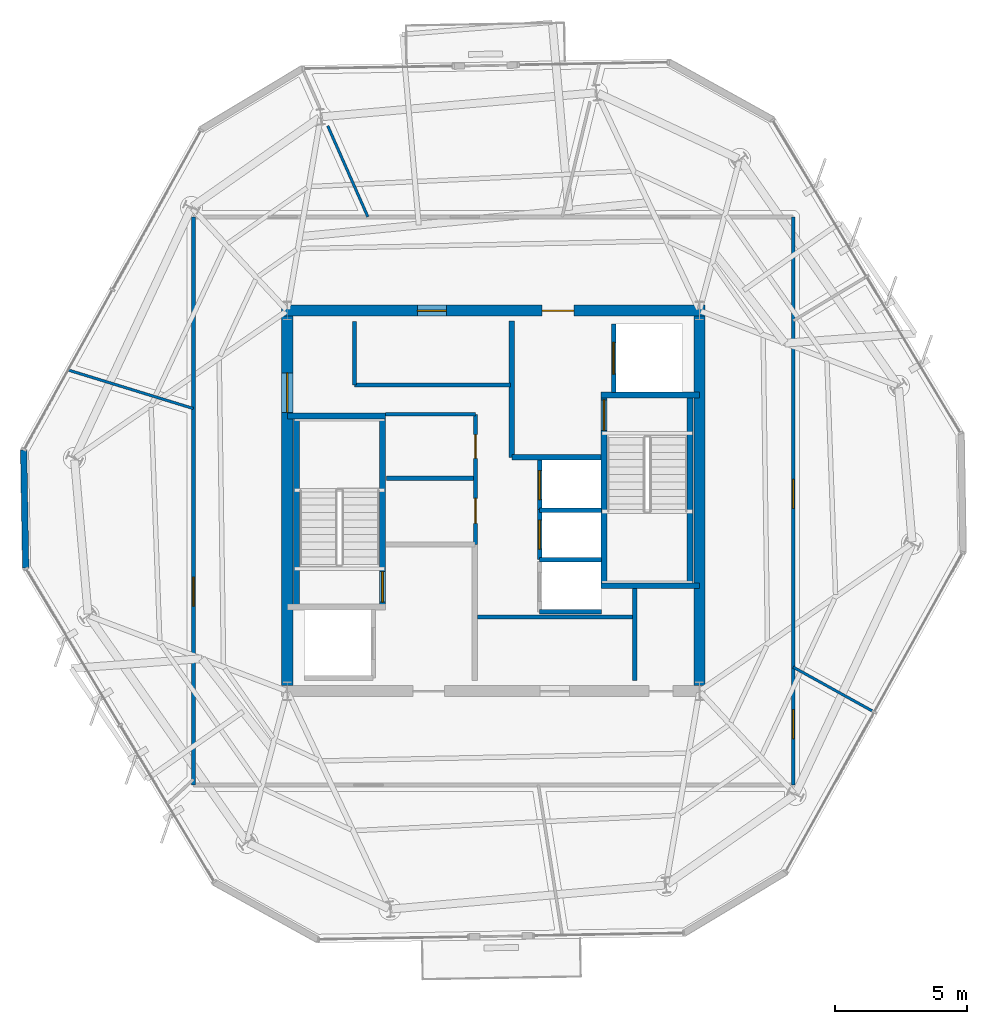
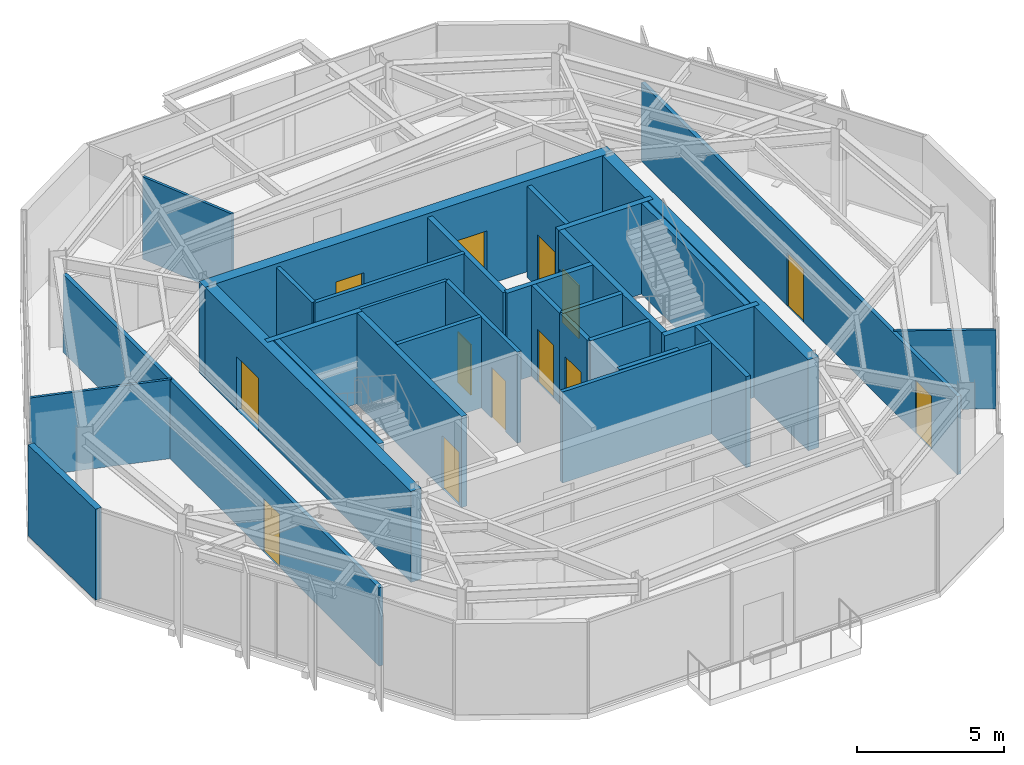
# One storey, part 7 of 12: 31 walls, 13 doors, 13 openings.
"""IFC4 building model written with IfcOpenShell, lengths in metres."""

from ifc_helpers import new_model, si_unit, direction, frame, frame_2d, origin, place, context, subcontext, project, spatial, rectangle, extrude, material, layer, layer_set, type_object, element, fill, save


model = new_model("IFC4")

# Units and contexts
model_context = context("Model", 3, precision=1e-05, world=origin(), true_north=direction((0.0, 1.0)))
body_context = subcontext(model_context, "Body", "Model", "MODEL_VIEW")
ifc_project = project(units=[si_unit("LENGTHUNIT", "METRE"), si_unit("AREAUNIT", "SQUARE_METRE"), si_unit("VOLUMEUNIT", "CUBIC_METRE"), si_unit("PLANEANGLEUNIT", "RADIAN"), si_unit("MASSUNIT", "GRAM", prefix="KILO")], contexts=[model_context])

# Site, building, storey
site_placement = place(None, origin())
site = spatial("IfcSite", under=ifc_project, at=site_placement, CompositionType="ELEMENT")
building_placement = place(site_placement, origin())
building = spatial("IfcBuilding", under=site, at=building_placement, Name="Kranzbogen Civic Tower", CompositionType="ELEMENT")
storey_placement = place(building_placement, frame((0.0, 0.0, 270.199951171875)))
storey = spatial("IfcBuildingStorey", under=building, at=storey_placement, Name="L65", CompositionType="ELEMENT", Elevation=270.199951171875)

# Walls
ifc_material_1 = material(Name="Double-Stud Acoustic Gypsum Partition")
ifc_layer_1 = layer(ifc_material_1, 0.14990234375, Name="Double-Stud Acoustic Gypsum Partition")
ifc_layer_set_1 = layer_set([ifc_layer_1], Name="Double-Stud Acoustic Gypsum Partition")
wall_type_1 = type_object("IfcWallType", Name="Acoustic Corridor and Clinical Partition 150 mm", PredefinedType="PARTITIONING", material=ifc_layer_set_1)
wall_1_placement = place(storey_placement, frame((24.39990234375, 20.610107421875, 0.0), z_axis=(0.0, 0.0, 1.0), x_axis=(1.0, 0.0, 0.0)))
element("IfcWall", 1, at=wall_1_placement, inside=storey, type_object=wall_type_1, Name="L65 records zone North wall", PredefinedType="PARTITIONING", context=body_context, shape_type="SweptSolid", body=[
    extrude(rectangle(XDim=5.900146484375, YDim=0.14990234375, at=frame_2d((2.9501953125, 0.0))), origin(), (0.0, 0.0, 1.0), 3.780029296875),
])
wall_2_placement = place(storey_placement, frame((19.75, 29.389892578125, 0.0), z_axis=(0.0, 0.0, 1.0), x_axis=(1.0, 0.0, 0.0)))
element("IfcWall", 2, at=wall_2_placement, inside=storey, type_object=wall_type_1, Name="L65 digital comms South wall", PredefinedType="PARTITIONING", context=body_context, shape_type="SweptSolid", body=[
    extrude(rectangle(XDim=5.89990234375, YDim=0.14990234375, at=frame_2d((2.949951171875, 0.0))), origin(), (0.0, 0.0, 1.0), 3.780029296875),
])
wall_3_placement = place(storey_placement, frame((19.75, 29.389892578125, 0.0), z_axis=(0.0, 0.0, 1.0), x_axis=(0.0, 1.0, 0.0)))
element("IfcWall", 3, at=wall_3_placement, inside=storey, type_object=wall_type_1, Name="L65 digital comms West wall", PredefinedType="PARTITIONING", context=body_context, shape_type="SweptSolid", body=[
    extrude(rectangle(XDim=2.41015625, YDim=0.14990234375, at=frame_2d((1.205078125, 0.0))), origin(), (0.0, 0.0, 1.0), 3.780029296875),
])

# Wall, openings, doors
wall_4_placement = place(storey_placement, frame((36.35009765625, 35.75, 0.0), z_axis=(0.0, 0.0, 1.0), x_axis=(0.0, -1.0, 0.0)))
wall_4 = element("IfcWall", 4, at=wall_4_placement, inside=storey, type_object=wall_type_1, Name="L65 corridor partition 02", PredefinedType="PARTITIONING", context=body_context, shape_type="SweptSolid", body=[
    extrude(rectangle(XDim=21.5, YDim=0.14990234375, at=frame_2d((10.75, 0.0))), origin(), (0.0, 0.0, 1.0), 3.25),
])
opening_1_placement = place(wall_4_placement, frame((18.64794921875, 0.0, 0.0)))
opening_1 = element("IfcOpeningElement", 5, at=opening_1_placement, cuts=wall_4, Name="Opening D-COR60", PredefinedType="OPENING", context=body_context, shape_type="SweptSolid", body=[
    extrude(rectangle(XDim=1.10009765625, YDim=2.199951171875, at=frame_2d((0.550048828125, 1.10009765625))), frame((0.0, 0.0849609375, 0.0), z_axis=(0.0, -1.0, 0.0), x_axis=(1.0, 0.0, 0.0)), (0.0, 0.0, 1.0), 0.169921875),
])
opening_2_placement = place(wall_4_placement, frame((9.93310546875, 0.0, 0.0)))
opening_2 = element("IfcOpeningElement", 6, at=opening_2_placement, cuts=wall_4, Name="Opening D-COR60", PredefinedType="OPENING", context=body_context, shape_type="SweptSolid", body=[
    extrude(rectangle(XDim=1.10009765625, YDim=2.199951171875, at=frame_2d((0.550048828125, 1.10009765625))), frame((0.0, 0.0849609375, 0.0), z_axis=(0.0, -1.0, 0.0), x_axis=(1.0, 0.0, 0.0)), (0.0, 0.0, 1.0), 0.169921875),
])
ifc_material_2 = material(Name="Oak Timber and Fire Core", Category="wood")
door_type_1 = type_object("IfcDoorType", Name="Corridor Acoustic Fire Door 1100x2200", OperationType="NOTDEFINED", PredefinedType="DOOR", material=ifc_material_2)
door_1_placement = place(opening_1_placement, origin())
door_1 = element("IfcDoor", 7, at=door_1_placement, inside=storey, type_object=door_type_1, Name="L65 Duty Crew Control Room door", OperationType="SINGLE_SWING_RIGHT", OverallHeight=2.199951171875, OverallWidth=1.10009765625, PredefinedType="DOOR", context=body_context, shape_type="SweptSolid", body=[
    extrude(rectangle(XDim=1.10009765625, YDim=2.199951171875, at=frame_2d((0.550048828125, 1.10009765625))), frame((0.0, 0.02490234375, 0.0), z_axis=(0.0, -1.0, 0.0), x_axis=(1.0, 0.0, 0.0)), (0.0, 0.0, 1.0), 0.050048828125),
])
fill(opening_1, door_1)
door_2_placement = place(opening_2_placement, origin())
door_2 = element("IfcDoor", 8, at=door_2_placement, inside=storey, type_object=door_type_1, Name="L65 Staff Tea Pantry door", OperationType="SINGLE_SWING_LEFT", OverallHeight=2.199951171875, OverallWidth=1.10009765625, PredefinedType="DOOR", context=body_context, shape_type="SweptSolid", body=[
    extrude(rectangle(XDim=1.10009765625, YDim=2.199951171875, at=frame_2d((0.550048828125, 1.10009765625))), frame((0.0, 0.02490234375, 0.0), z_axis=(0.0, -1.0, 0.0), x_axis=(1.0, 0.0, 0.0)), (0.0, 0.0, 1.0), 0.050048828125),
])
fill(opening_2, door_2)

# Wall, opening, door
wall_5_placement = place(storey_placement, frame((13.64990234375, 14.25, 0.0), z_axis=(0.0, 0.0, 1.0), x_axis=(0.0, 1.0, 0.0)))
wall_5 = element("IfcWall", 9, at=wall_5_placement, inside=storey, type_object=wall_type_1, Name="L65 corridor partition 04", PredefinedType="PARTITIONING", context=body_context, shape_type="SweptSolid", body=[
    extrude(rectangle(XDim=21.5, YDim=0.14990234375, at=frame_2d((10.75, 0.0))), origin(), (0.0, 0.0, 1.0), 3.25),
])
opening_3_placement = place(wall_5_placement, frame((6.764892578125, 0.0, 0.0)))
opening_3 = element("IfcOpeningElement", 10, at=opening_3_placement, cuts=wall_5, Name="Opening D-COR60", PredefinedType="OPENING", context=body_context, shape_type="SweptSolid", body=[
    extrude(rectangle(XDim=1.10009765625, YDim=2.199951171875, at=frame_2d((0.550048828125, 1.10009765625))), frame((0.0, 0.0849609375, 0.0), z_axis=(0.0, -1.0, 0.0), x_axis=(1.0, 0.0, 0.0)), (0.0, 0.0, 1.0), 0.169921875),
])
door_3_placement = place(opening_3_placement, origin())
door_3 = element("IfcDoor", 11, at=door_3_placement, inside=storey, type_object=door_type_1, Name="L65 Operations Security Control Room door", OperationType="SINGLE_SWING_RIGHT", OverallHeight=2.199951171875, OverallWidth=1.10009765625, PredefinedType="DOOR", context=body_context, shape_type="SweptSolid", body=[
    extrude(rectangle(XDim=1.10009765625, YDim=2.199951171875, at=frame_2d((0.550048828125, 1.10009765625))), frame((0.0, 0.02490234375, 0.0), z_axis=(0.0, -1.0, 0.0), x_axis=(1.0, 0.0, 0.0)), (0.0, 0.0, 1.0), 0.050048828125),
])
fill(opening_3, door_3)

# Wall
ifc_material_3 = material(Name="Insulated Metal-Stud Gypsum Partition")
ifc_layer_2 = layer(ifc_material_3, 0.125, Name="Insulated Metal-Stud Gypsum Partition")
ifc_layer_set_2 = layer_set([ifc_layer_2], Name="Insulated Metal-Stud Gypsum Partition")
wall_type_2 = type_object("IfcWallType", Name="Acoustic Inter-Room Partition 125 mm", PredefinedType="PARTITIONING", material=ifc_layer_set_2)
wall_6_placement = place(storey_placement, frame((20.919921875, 28.280029296875, 0.0), z_axis=(0.0, 0.0, 1.0), x_axis=(1.0, 0.0, 0.0)))
element("IfcWall", 12, at=wall_6_placement, inside=storey, type_object=wall_type_2, Name="L65 core auxiliary North wall", PredefinedType="PARTITIONING", context=body_context, shape_type="SweptSolid", body=[
    extrude(rectangle(XDim=3.405029296875, YDim=0.125, at=frame_2d((1.70263671875, 0.0))), origin(), (0.0, 0.0, 1.0), 3.780029296875),
])

# Wall, openings, doors
ifc_material_4 = material(Name="Concrete C45/55", Category="concrete")
ifc_layer_3 = layer(ifc_material_4, 0.419921875, Name="Concrete C45/55")
ifc_layer_set_3 = layer_set([ifc_layer_3], Name="Concrete C45/55")
wall_type_3 = type_object("IfcWallType", Name="Central Core Shear Wall 420 mm", PredefinedType="SHEAR", material=ifc_layer_set_3)
wall_7_placement = place(storey_placement, frame((33.010009765625, 32.199951171875, 0.0), z_axis=(0.0, 0.0, 1.0), x_axis=(-1.0, 0.0, 0.0)))
wall_7 = element("IfcWall", 13, at=wall_7_placement, inside=storey, type_object=wall_type_3, Name="L65 central core North shear wall", PredefinedType="SHEAR", context=body_context, shape_type="SweptSolid", body=[
    extrude(rectangle(XDim=16.02001953125, YDim=0.419921875, at=frame_2d((8.010009765625, 0.0))), origin(), (0.0, 0.0, 1.0), 3.780029296875),
])
opening_4_placement = place(wall_7_placement, frame((4.9599609375, 0.0, 0.0)))
opening_4 = element("IfcOpeningElement", 14, at=opening_4_placement, cuts=wall_7, Name="Opening D-EX120", PredefinedType="OPENING", context=body_context, shape_type="SweptSolid", body=[
    extrude(rectangle(XDim=1.199951171875, YDim=2.25, at=frame_2d((0.60009765625, 1.125))), frame((0.0, 0.219970703125, 0.0), z_axis=(0.0, -1.0, 0.0), x_axis=(1.0, 0.0, 0.0)), (0.0, 0.0, 1.0), 0.43994140625),
])
opening_5_placement = place(wall_7_placement, frame((9.784912109375, 0.0, 0.0)))
opening_5 = element("IfcOpeningElement", 15, at=opening_5_placement, cuts=wall_7, Name="Opening D-COR60", PredefinedType="OPENING", context=body_context, shape_type="SweptSolid", body=[
    extrude(rectangle(XDim=1.10009765625, YDim=2.199951171875, at=frame_2d((0.550048828125, 1.10009765625))), frame((0.0, 0.219970703125, 0.0), z_axis=(0.0, -1.0, 0.0), x_axis=(1.0, 0.0, 0.0)), (0.0, 0.0, 1.0), 0.43994140625),
])
door_4_placement = place(opening_5_placement, origin())
door_4 = element("IfcDoor", 16, at=door_4_placement, inside=storey, type_object=door_type_1, Name="L65 DAT1 comms room door", OperationType="SINGLE_SWING_LEFT", OverallHeight=2.199951171875, OverallWidth=1.10009765625, PredefinedType="DOOR", context=body_context, shape_type="SweptSolid", body=[
    extrude(rectangle(XDim=1.10009765625, YDim=2.199951171875, at=frame_2d((0.550048828125, 1.10009765625))), frame((0.0, 0.02490234375, 0.0), z_axis=(0.0, -1.0, 0.0), x_axis=(1.0, 0.0, 0.0)), (0.0, 0.0, 1.0), 0.050048828125),
])
fill(opening_5, door_4)
ifc_material_5 = material(Name="Steel S355", Category="steel")
door_type_2 = type_object("IfcDoorType", Name="Exit Passageway Fire Door 1200x2250", OperationType="NOTDEFINED", PredefinedType="DOOR", material=ifc_material_5)
door_5_placement = place(opening_4_placement, origin())
door_5 = element("IfcDoor", 17, at=door_5_placement, inside=storey, type_object=door_type_2, Name="L65 East firefighting lobby corridor door", OperationType="SINGLE_SWING_RIGHT", OverallHeight=2.25, OverallWidth=1.199951171875, PredefinedType="DOOR", context=body_context, shape_type="SweptSolid", body=[
    extrude(rectangle(XDim=1.199951171875, YDim=2.25, at=frame_2d((0.60009765625, 1.125))), frame((0.0, 0.02490234375, 0.0), z_axis=(0.0, -1.0, 0.0), x_axis=(1.0, 0.0, 0.0)), (0.0, 0.0, 1.0), 0.050048828125),
])
fill(opening_4, door_5)

# Wall, opening, door
wall_8_placement = place(storey_placement, frame((17.199951171875, 31.989990234375, 0.0), z_axis=(0.0, 0.0, 1.0), x_axis=(0.0, -1.0, 0.0)))
wall_8 = element("IfcWall", 18, at=wall_8_placement, inside=storey, type_object=wall_type_3, Name="L65 central core West shear wall", PredefinedType="SHEAR", context=body_context, shape_type="SweptSolid", body=[
    extrude(rectangle(XDim=13.97998046875, YDim=0.419921875, at=frame_2d((6.989990234375, 0.0))), origin(), (0.0, 0.0, 1.0), 3.780029296875),
])
opening_6_placement = place(wall_8_placement, frame((2.139892578125, 0.0, 0.0)))
opening_6 = element("IfcOpeningElement", 19, at=opening_6_placement, cuts=wall_8, Name="Opening D-DBL15", PredefinedType="OPENING", context=body_context, shape_type="SweptSolid", body=[
    extrude(rectangle(XDim=1.5, YDim=2.199951171875, at=frame_2d((0.75, 1.10009765625))), frame((0.0, 0.219970703125, 0.0), z_axis=(0.0, -1.0, 0.0), x_axis=(1.0, 0.0, 0.0)), (0.0, 0.0, 1.0), 0.43994140625),
])
ifc_material_6 = material(Name="Anodised Bronze and Glass", Category="glass")
door_type_3 = type_object("IfcDoorType", Name="Civic Lobby Double Door 1500x2200", OperationType="DOUBLE_DOOR_SINGLE_SWING", PredefinedType="DOOR", material=ifc_material_6)
door_6_placement = place(opening_6_placement, origin())
door_6 = element("IfcDoor", 20, at=door_6_placement, inside=storey, type_object=door_type_3, Name="L65 Central Lift Lobby West concourse door", OperationType="DOUBLE_DOOR_SINGLE_SWING", OverallHeight=2.199951171875, OverallWidth=1.5, PredefinedType="DOOR", context=body_context, shape_type="SweptSolid", body=[
    extrude(rectangle(XDim=1.5, YDim=2.199951171875, at=frame_2d((0.75, 1.10009765625))), frame((0.0, 0.02490234375, 0.0), z_axis=(0.0, -1.0, 0.0), x_axis=(1.0, 0.0, 0.0)), (0.0, 0.0, 1.0), 0.050048828125),
])
fill(opening_6, door_6)

# Wall
wall_9_placement = place(storey_placement, frame((32.800048828125, 18.010009765625, 0.0), z_axis=(0.0, 0.0, 1.0), x_axis=(0.0, 1.0, 0.0)))
element("IfcWall", 21, at=wall_9_placement, inside=storey, type_object=wall_type_3, Name="L65 central core East shear wall", PredefinedType="SHEAR", context=body_context, shape_type="SweptSolid", body=[
    extrude(rectangle(XDim=13.97998046875, YDim=0.419921875, at=frame_2d((6.989990234375, 0.0))), origin(), (0.0, 0.0, 1.0), 3.780029296875),
])

# Wall, opening, door
ifc_layer_4 = layer(ifc_material_4, 0.219970703125, Name="Concrete C45/55")
ifc_layer_set_4 = layer_set([ifc_layer_4], Name="Concrete C45/55")
wall_type_4 = type_object("IfcWallType", Name="Core Internal Stair Structural Wall 220 mm", PredefinedType="SOLIDWALL", material=ifc_layer_set_4)
wall_10_placement = place(storey_placement, frame((20.81005859375, 20.989990234375, 0.0), z_axis=(0.0, 0.0, 1.0), x_axis=(0.0, 1.0, 0.0)))
wall_10 = element("IfcWall", 22, at=wall_10_placement, inside=storey, type_object=wall_type_4, Name="L65 ST-T1 East structural stair wall", PredefinedType="SOLIDWALL", context=body_context, shape_type="SweptSolid", body=[
    extrude(rectangle(XDim=7.219970703125, YDim=0.219970703125, at=frame_2d((3.60986328125, 0.0))), origin(), (0.0, 0.0, 1.0), 3.780029296875),
])
opening_7_placement = place(wall_10_placement, frame((0.179931640625, 0.0, 0.0)))
opening_7 = element("IfcOpeningElement", 23, at=opening_7_placement, cuts=wall_10, Name="Opening D-ST90", PredefinedType="OPENING", context=body_context, shape_type="SweptSolid", body=[
    extrude(rectangle(XDim=1.14990234375, YDim=2.199951171875, at=frame_2d((0.574951171875, 1.10009765625))), frame((0.0, 0.1201171875, 0.0), z_axis=(0.0, -1.0, 0.0), x_axis=(1.0, 0.0, 0.0)), (0.0, 0.0, 1.0), 0.239990234375),
])
door_type_4 = type_object("IfcDoorType", Name="Pressurized Stair and Lobby Fire Door 1150x2200", OperationType="NOTDEFINED", PredefinedType="DOOR", material=ifc_material_5)
door_7_placement = place(opening_7_placement, origin())
door_7 = element("IfcDoor", 24, at=door_7_placement, inside=storey, type_object=door_type_4, Name="L65 Stair ST-T1 fire door", OperationType="SINGLE_SWING_LEFT", OverallHeight=2.199951171875, OverallWidth=1.14990234375, PredefinedType="DOOR", context=body_context, shape_type="SweptSolid", body=[
    extrude(rectangle(XDim=1.14990234375, YDim=2.199951171875, at=frame_2d((0.574951171875, 1.10009765625))), frame((0.0, 0.02490234375, 0.0), z_axis=(0.0, -1.0, 0.0), x_axis=(1.0, 0.0, 0.0)), (0.0, 0.0, 1.0), 0.050048828125),
])
fill(opening_7, door_7)

# Walls
wall_11_placement = place(storey_placement, frame((17.199951171875, 28.2099609375, 0.0), z_axis=(0.0, 0.0, 1.0), x_axis=(1.0, 0.0, 0.0)))
element("IfcWall", 25, at=wall_11_placement, inside=storey, type_object=wall_type_4, Name="L65 ST-T1 North structural stair wall", PredefinedType="SOLIDWALL", context=body_context, shape_type="SweptSolid", body=[
    extrude(rectangle(XDim=3.719970703125, YDim=0.219970703125, at=frame_2d((1.85986328125, 0.0))), origin(), (0.0, 0.0, 1.0), 3.780029296875),
])
wall_12_placement = place(storey_placement, frame((17.554931640625, 28.2099609375, 0.0), z_axis=(0.0, 0.0, 1.0), x_axis=(0.0, -1.0, 0.0)))
element("IfcWall", 26, at=wall_12_placement, inside=storey, type_object=wall_type_4, Name="L65 ST-T1 West structural stair wall", PredefinedType="SOLIDWALL", context=body_context, shape_type="SweptSolid", body=[
    extrude(rectangle(XDim=7.219970703125, YDim=0.219970703125, at=frame_2d((3.60986328125, 0.0))), origin(), (0.0, 0.0, 1.0), 3.780029296875),
])

# Wall, opening, door
wall_13_placement = place(storey_placement, frame((29.18994140625, 21.7900390625, 0.0), z_axis=(0.0, 0.0, 1.0), x_axis=(0.0, 1.0, 0.0)))
wall_13 = element("IfcWall", 27, at=wall_13_placement, inside=storey, type_object=wall_type_4, Name="L65 ST-T2 West structural stair wall", PredefinedType="SOLIDWALL", context=body_context, shape_type="SweptSolid", body=[
    extrude(rectangle(XDim=7.219970703125, YDim=0.219970703125, at=frame_2d((3.60986328125, 0.0))), origin(), (0.0, 0.0, 1.0), 3.780029296875),
])
opening_8_placement = place(wall_13_placement, frame((5.8798828125, 0.0, 0.0)))
opening_8 = element("IfcOpeningElement", 28, at=opening_8_placement, cuts=wall_13, Name="Opening D-ST90", PredefinedType="OPENING", context=body_context, shape_type="SweptSolid", body=[
    extrude(rectangle(XDim=1.14990234375, YDim=2.199951171875, at=frame_2d((0.574951171875, 1.10009765625))), frame((0.0, 0.1201171875, 0.0), z_axis=(0.0, -1.0, 0.0), x_axis=(1.0, 0.0, 0.0)), (0.0, 0.0, 1.0), 0.239990234375),
])
door_8_placement = place(opening_8_placement, origin())
door_8 = element("IfcDoor", 29, at=door_8_placement, inside=storey, type_object=door_type_4, Name="L65 Stair ST-T2 fire door", OperationType="SINGLE_SWING_RIGHT", OverallHeight=2.199951171875, OverallWidth=1.14990234375, PredefinedType="DOOR", context=body_context, shape_type="SweptSolid", body=[
    extrude(rectangle(XDim=1.14990234375, YDim=2.199951171875, at=frame_2d((0.574951171875, 1.10009765625))), frame((0.0, 0.02490234375, 0.0), z_axis=(0.0, -1.0, 0.0), x_axis=(1.0, 0.0, 0.0)), (0.0, 0.0, 1.0), 0.050048828125),
])
fill(opening_8, door_8)

# Walls
for number, where, z_axis, x_axis, name in (
    (30, (29.080078125, 21.7900390625, 0.0), (0.0, 0.0, 1.0), (1.0, 0.0, 0.0), "L65 ST-T2 South structural stair wall"),
    (31, (29.080078125, 29.010009765625, 0.0), (0.0, 0.0, 1.0), (1.0, 0.0, 0.0), "L65 ST-T2 North structural stair wall"),
):
    element("IfcWall", number, at=place(storey_placement, frame(where, z_axis=z_axis, x_axis=x_axis)), inside=storey, type_object=wall_type_4, Name=name, PredefinedType="SOLIDWALL", context=body_context, shape_type="SweptSolid", body=[
        extrude(rectangle(XDim=3.719970703125, YDim=0.219970703125, at=frame_2d((1.85986328125, 0.0))), origin(), (0.0, 0.0, 1.0), 3.780029296875),
    ])
wall_14_placement = place(storey_placement, frame((32.445068359375, 29.010009765625, 0.0), z_axis=(0.0, 0.0, 1.0), x_axis=(0.0, -1.0, 0.0)))
element("IfcWall", 32, at=wall_14_placement, inside=storey, type_object=wall_type_4, Name="L65 ST-T2 East structural stair wall", PredefinedType="SOLIDWALL", context=body_context, shape_type="SweptSolid", body=[
    extrude(rectangle(XDim=7.219970703125, YDim=0.219970703125, at=frame_2d((3.60986328125, 0.0))), origin(), (0.0, 0.0, 1.0), 3.780029296875),
])
ifc_material_7 = material(Name="Demountable Aluminium and Gypsum Partition", Category="aluminium")
ifc_layer_5 = layer(ifc_material_7, 0.10009765625, Name="Demountable Aluminium and Gypsum Partition")
ifc_layer_set_5 = layer_set([ifc_layer_5], Name="Demountable Aluminium and Gypsum Partition")
wall_type_5 = type_object("IfcWallType", Name="Demountable Office Partition 100 mm", PredefinedType="MOVABLE", material=ifc_layer_set_5)
wall_15_placement = place(storey_placement, frame((20.251953125, 35.75, 0.0), z_axis=(0.0, 0.0, 1.0), x_axis=(-0.403791793735, 0.914850909882, 0.0)))
element("IfcWall", 33, at=wall_15_placement, inside=storey, type_object=wall_type_5, Name="L65 radial room partition 01 part 1", PredefinedType="MOVABLE", context=body_context, shape_type="SweptSolid", body=[
    extrude(rectangle(XDim=3.766845703125, YDim=0.10009765625, at=frame_2d((1.88330078125, 0.0))), origin(), (0.0, 0.0, 1.0), 3.420166015625),
])
wall_16_placement = place(storey_placement, frame((13.64990234375, 28.4951171875, 0.0), z_axis=(0.0, 0.0, 1.0), x_axis=(-0.955737392595, 0.29422106722, 0.0)))
element("IfcWall", 34, at=wall_16_placement, inside=storey, type_object=wall_type_5, Name="L65 radial room partition 02", PredefinedType="MOVABLE", context=body_context, shape_type="SweptSolid", body=[
    extrude(rectangle(XDim=4.947998046875, YDim=0.10009765625, at=frame_2d((2.47412109375, 0.0))), origin(), (0.0, 0.0, 1.0), 3.280029296875),
])
wall_17_placement = place(storey_placement, frame((36.35009765625, 18.708984375, 0.0), z_axis=(0.0, 0.0, 1.0), x_axis=(0.874507187931, -0.485012554741, 0.0)))
element("IfcWall", 35, at=wall_17_placement, inside=storey, type_object=wall_type_5, Name="L65 radial room partition 05", PredefinedType="MOVABLE", context=body_context, shape_type="SweptSolid", body=[
    extrude(rectangle(XDim=3.486328125, YDim=0.10009765625, at=frame_2d((1.7431640625, 0.0))), origin(), (0.0, 0.0, 1.0), 3.280029296875),
])
ifc_material_8 = material(Name="Gypsum Fireboard and Concrete Block", Category="concrete")
ifc_layer_6 = layer(ifc_material_8, 0.199951171875, Name="Gypsum Fireboard and Concrete Block")
ifc_layer_set_6 = layer_set([ifc_layer_6], Name="Gypsum Fireboard and Concrete Block")
wall_type_6 = type_object("IfcWallType", Name="Fire-Rated Exit Passageway and Stair Wall 200 mm", PredefinedType="PARTITIONING", material=ifc_layer_set_6)
wall_18_placement = place(storey_placement, frame((25.699951171875, 26.64990234375, 0.0), z_axis=(0.0, 0.0, 1.0), x_axis=(0.0, 1.0, 0.0)))
element("IfcWall", 36, at=wall_18_placement, inside=storey, type_object=wall_type_6, Name="L65 East firefighting lobby West wall", PredefinedType="PARTITIONING", context=body_context, shape_type="SweptSolid", body=[
    extrude(rectangle(XDim=5.150146484375, YDim=0.199951171875, at=frame_2d((2.5751953125, 0.0))), origin(), (0.0, 0.0, 1.0), 3.780029296875),
])
wall_19_placement = place(storey_placement, frame((25.699951171875, 26.64990234375, 0.0), z_axis=(0.0, 0.0, 1.0), x_axis=(1.0, 0.0, 0.0)))
element("IfcWall", 37, at=wall_19_placement, inside=storey, type_object=wall_type_6, Name="L65 East firefighting lobby South wall", PredefinedType="PARTITIONING", context=body_context, shape_type="SweptSolid", body=[
    extrude(rectangle(XDim=3.380126953125, YDim=0.199951171875, at=frame_2d((1.68994140625, 0.0))), origin(), (0.0, 0.0, 1.0), 3.780029296875),
])
ifc_material_9 = material(Name="Gypsum Fireboard Shaftliner")
ifc_layer_7 = layer(ifc_material_9, 0.175048828125, Name="Gypsum Fireboard Shaftliner")
ifc_layer_set_7 = layer_set([ifc_layer_7], Name="Gypsum Fireboard Shaftliner")
wall_type_7 = type_object("IfcWallType", Name="Fire-Rated Lift and Service Shaft Wall 175 mm", PredefinedType="PARTITIONING", material=ifc_layer_set_7)
wall_20_placement = place(storey_placement, frame((30.35009765625, 18.199951171875, 0.0), z_axis=(0.0, 0.0, 1.0), x_axis=(0.0, 1.0, 0.0)))
element("IfcWall", 38, at=wall_20_placement, inside=storey, type_object=wall_type_7, Name="L65 East core riser West wall", PredefinedType="PARTITIONING", context=body_context, shape_type="SweptSolid", body=[
    extrude(rectangle(XDim=3.47998046875, YDim=0.175048828125, at=frame_2d((1.739990234375, 0.0))), origin(), (0.0, 0.0, 1.0), 3.780029296875),
])
wall_21_placement = place(storey_placement, frame((26.75, 20.800048828125, 0.0), z_axis=(0.0, 0.0, 1.0), x_axis=(1.0, 0.0, 0.0)))
element("IfcWall", 39, at=wall_21_placement, inside=storey, type_object=wall_type_7, Name="L65 lift HP-01 side wall", PredefinedType="PARTITIONING", context=body_context, shape_type="SweptSolid", body=[
    extrude(rectangle(XDim=2.35009765625, YDim=0.175048828125, at=frame_2d((1.175048828125, 0.0))), origin(), (0.0, 0.0, 1.0), 3.780029296875),
])

# Wall, opening, door
wall_22_placement = place(storey_placement, frame((26.75, 22.77490234375, 0.0), z_axis=(0.0, 0.0, 1.0), x_axis=(0.0, 1.0, 0.0)))
wall_22 = element("IfcWall", 40, at=wall_22_placement, inside=storey, type_object=wall_type_7, Name="L65 lift HP-02 landing wall", PredefinedType="PARTITIONING", context=body_context, shape_type="SweptSolid", body=[
    extrude(rectangle(XDim=1.900146484375, YDim=0.175048828125, at=frame_2d((0.9501953125, 0.0))), origin(), (0.0, 0.0, 1.0), 3.780029296875),
])
opening_9_placement = place(wall_22_placement, frame((0.39990234375, 0.0, 0.0)))
opening_9 = element("IfcOpeningElement", 41, at=opening_9_placement, cuts=wall_22, Name="Opening LD-HP-02", PredefinedType="OPENING", context=body_context, shape_type="SweptSolid", body=[
    extrude(rectangle(XDim=1.10009765625, YDim=2.199951171875, at=frame_2d((0.550048828125, 1.10009765625))), frame((0.0, 0.09765625, 0.0), z_axis=(0.0, -1.0, 0.0), x_axis=(1.0, 0.0, 0.0)), (0.0, 0.0, 1.0), 0.195068359375),
])
ifc_material_10 = material(Name="Pale Anodised Aluminium", Category="aluminium")
door_type_5 = type_object("IfcDoorType", Name="Passenger Lift Sliding Landing Door 1100x2200", OperationType="DOUBLE_DOOR_SLIDING", PredefinedType="DOOR", material=ifc_material_10)
door_9_placement = place(opening_9_placement, origin())
door_9 = element("IfcDoor", 42, at=door_9_placement, inside=storey, type_object=door_type_5, Name="L65 lift HP-02 sliding landing door", OperationType="DOUBLE_DOOR_SLIDING", OverallHeight=2.199951171875, OverallWidth=1.10009765625, PredefinedType="DOOR", context=body_context, shape_type="SweptSolid", body=[
    extrude(rectangle(XDim=1.10009765625, YDim=2.199951171875, at=frame_2d((0.550048828125, 1.10009765625))), frame((0.0, 0.02490234375, 0.0), z_axis=(0.0, -1.0, 0.0), x_axis=(1.0, 0.0, 0.0)), (0.0, 0.0, 1.0), 0.050048828125),
])
fill(opening_9, door_9)

# Wall
wall_23_placement = place(storey_placement, frame((26.75, 22.77490234375, 0.0), z_axis=(0.0, 0.0, 1.0), x_axis=(1.0, 0.0, 0.0)))
element("IfcWall", 43, at=wall_23_placement, inside=storey, type_object=wall_type_7, Name="L65 lift HP-02 side wall", PredefinedType="PARTITIONING", context=body_context, shape_type="SweptSolid", body=[
    extrude(rectangle(XDim=2.35009765625, YDim=0.175048828125, at=frame_2d((1.175048828125, 0.0))), origin(), (0.0, 0.0, 1.0), 3.780029296875),
])

# Wall, opening, door
wall_24_placement = place(storey_placement, frame((26.75, 24.64990234375, 0.0), z_axis=(0.0, 0.0, 1.0), x_axis=(0.0, 1.0, 0.0)))
wall_24 = element("IfcWall", 44, at=wall_24_placement, inside=storey, type_object=wall_type_7, Name="L65 lift HP-03 landing wall", PredefinedType="PARTITIONING", context=body_context, shape_type="SweptSolid", body=[
    extrude(rectangle(XDim=1.900146484375, YDim=0.175048828125, at=frame_2d((0.9501953125, 0.0))), origin(), (0.0, 0.0, 1.0), 3.780029296875),
])
opening_10_placement = place(wall_24_placement, frame((0.39990234375, 0.0, 0.0)))
opening_10 = element("IfcOpeningElement", 45, at=opening_10_placement, cuts=wall_24, Name="Opening LD-HP-03", PredefinedType="OPENING", context=body_context, shape_type="SweptSolid", body=[
    extrude(rectangle(XDim=1.10009765625, YDim=2.199951171875, at=frame_2d((0.550048828125, 1.10009765625))), frame((0.0, 0.09765625, 0.0), z_axis=(0.0, -1.0, 0.0), x_axis=(1.0, 0.0, 0.0)), (0.0, 0.0, 1.0), 0.195068359375),
])
door_10_placement = place(opening_10_placement, origin())
door_10 = element("IfcDoor", 46, at=door_10_placement, inside=storey, type_object=door_type_5, Name="L65 lift HP-03 sliding landing door", OperationType="DOUBLE_DOOR_SLIDING", OverallHeight=2.199951171875, OverallWidth=1.10009765625, PredefinedType="DOOR", context=body_context, shape_type="SweptSolid", body=[
    extrude(rectangle(XDim=1.10009765625, YDim=2.199951171875, at=frame_2d((0.550048828125, 1.10009765625))), frame((0.0, 0.02490234375, 0.0), z_axis=(0.0, -1.0, 0.0), x_axis=(1.0, 0.0, 0.0)), (0.0, 0.0, 1.0), 0.050048828125),
])
fill(opening_10, door_10)

# Wall
wall_25_placement = place(storey_placement, frame((26.75, 24.64990234375, 0.0), z_axis=(0.0, 0.0, 1.0), x_axis=(1.0, 0.0, 0.0)))
element("IfcWall", 47, at=wall_25_placement, inside=storey, type_object=wall_type_7, Name="L65 lift HP-03 side wall", PredefinedType="PARTITIONING", context=body_context, shape_type="SweptSolid", body=[
    extrude(rectangle(XDim=2.35009765625, YDim=0.175048828125, at=frame_2d((1.175048828125, 0.0))), origin(), (0.0, 0.0, 1.0), 3.780029296875),
])

# Wall, opening, door
wall_26_placement = place(storey_placement, frame((29.550048828125, 29.10009765625, 0.0), z_axis=(0.0, 0.0, 1.0), x_axis=(0.0, 1.0, 0.0)))
wall_26 = element("IfcWall", 48, at=wall_26_placement, inside=storey, type_object=wall_type_7, Name="L65 lift FF-02 landing wall", PredefinedType="PARTITIONING", context=body_context, shape_type="SweptSolid", body=[
    extrude(rectangle(XDim=2.599853515625, YDim=0.175048828125, at=frame_2d((1.2998046875, 0.0))), origin(), (0.0, 0.0, 1.0), 3.780029296875),
])
opening_11_placement = place(wall_26_placement, frame((0.699951171875, 0.0, 0.0)))
opening_11 = element("IfcOpeningElement", 49, at=opening_11_placement, cuts=wall_26, Name="Opening LD-FF-02", PredefinedType="OPENING", context=body_context, shape_type="SweptSolid", body=[
    extrude(rectangle(XDim=1.199951171875, YDim=2.199951171875, at=frame_2d((0.60009765625, 1.10009765625))), frame((0.0, 0.09765625, 0.0), z_axis=(0.0, -1.0, 0.0), x_axis=(1.0, 0.0, 0.0)), (0.0, 0.0, 1.0), 0.195068359375),
])
door_type_6 = type_object("IfcDoorType", Name="Firefighting and Stretcher Lift Sliding Landing Door 1200x2200", OperationType="DOUBLE_DOOR_SLIDING", PredefinedType="DOOR", material=ifc_material_10)
door_11_placement = place(opening_11_placement, origin())
door_11 = element("IfcDoor", 50, at=door_11_placement, inside=storey, type_object=door_type_6, Name="L65 lift FF-02 sliding landing door", OperationType="DOUBLE_DOOR_SLIDING", OverallHeight=2.199951171875, OverallWidth=1.199951171875, PredefinedType="DOOR", context=body_context, shape_type="SweptSolid", body=[
    extrude(rectangle(XDim=1.199951171875, YDim=2.199951171875, at=frame_2d((0.60009765625, 1.10009765625))), frame((0.0, 0.02490234375, 0.0), z_axis=(0.0, -1.0, 0.0), x_axis=(1.0, 0.0, 0.0)), (0.0, 0.0, 1.0), 0.050048828125),
])
fill(opening_11, door_11)

# Wall
ifc_layer_8 = layer(ifc_material_10, 0.239990234375, Name="Pale Anodised Aluminium")
ifc_layer_set_8 = layer_set([ifc_layer_8], Name="Pale Anodised Aluminium")
wall_type_8 = type_object("IfcWallType", Name="Insulated Aluminium Facade Portal Wall 240 mm", PredefinedType="STANDARD", material=ifc_layer_set_8)
wall_27_placement = place(storey_placement, frame((7.22412109375, 26.923095703125, 0.0), z_axis=(0.0, 0.0, 1.0), x_axis=(0.01743952575, -0.999847919907, 0.0)))
element("IfcWall", 51, at=wall_27_placement, inside=storey, type_object=wall_type_8, Name="L65 chamfered corner facade spandrel 2", PredefinedType="STANDARD", context=body_context, shape_type="SweptSolid", body=[
    extrude(rectangle(XDim=4.4658203125, YDim=0.239990234375, at=frame_2d((2.23291015625, 0.0))), origin(), (0.0, 0.0, 1.0), 3.780029296875),
])

# Wall, openings, doors
ifc_material_11 = material(Name="Moisture-Resistant Gypsum Assembly")
ifc_layer_9 = layer(ifc_material_11, 0.159912109375, Name="Moisture-Resistant Gypsum Assembly")
ifc_layer_set_9 = layer_set([ifc_layer_9], Name="Moisture-Resistant Gypsum Assembly")
wall_type_9 = type_object("IfcWallType", Name="Sanitary and Plumbing Wet Wall 160 mm", PredefinedType="PLUMBINGWALL", material=ifc_layer_set_9)
wall_28_placement = place(storey_placement, frame((24.324951171875, 23.35009765625, 0.0), z_axis=(0.0, 0.0, 1.0), x_axis=(0.0, 1.0, 0.0)))
wall_28 = element("IfcWall", 52, at=wall_28_placement, inside=storey, type_object=wall_type_9, Name="L65 core auxiliary East wall", PredefinedType="PLUMBINGWALL", context=body_context, shape_type="SweptSolid", body=[
    extrude(rectangle(XDim=4.929931640625, YDim=0.159912109375, at=frame_2d((2.46484375, 0.0))), origin(), (0.0, 0.0, 1.0), 3.780029296875),
])
opening_12_placement = place(wall_28_placement, frame((0.800048828125, 0.0, 0.0)))
opening_12 = element("IfcOpeningElement", 53, at=opening_12_placement, cuts=wall_28, Name="Opening D-AWC95", PredefinedType="OPENING", context=body_context, shape_type="SweptSolid", body=[
    extrude(rectangle(XDim=0.949951171875, YDim=2.10009765625, at=frame_2d((0.47509765625, 1.050048828125))), frame((0.0, 0.08984375, 0.0), z_axis=(0.0, -1.0, 0.0), x_axis=(1.0, 0.0, 0.0)), (0.0, 0.0, 1.0), 0.179931640625),
])
opening_13_placement = place(wall_28_placement, frame((3.260009765625, 0.0, 0.0)))
opening_13 = element("IfcOpeningElement", 54, at=opening_13_placement, cuts=wall_28, Name="Opening D-WC90", PredefinedType="OPENING", context=body_context, shape_type="SweptSolid", body=[
    extrude(rectangle(XDim=0.89990234375, YDim=2.10009765625, at=frame_2d((0.449951171875, 1.050048828125))), frame((0.0, 0.08984375, 0.0), z_axis=(0.0, -1.0, 0.0), x_axis=(1.0, 0.0, 0.0)), (0.0, 0.0, 1.0), 0.179931640625),
])
ifc_material_12 = material(Name="Moisture-Resistant Laminate")
door_type_7 = type_object("IfcDoorType", Name="Accessible Restroom Door 950x2100", OperationType="NOTDEFINED", PredefinedType="DOOR", material=ifc_material_12)
door_12_placement = place(opening_12_placement, origin())
door_12 = element("IfcDoor", 55, at=door_12_placement, inside=storey, type_object=door_type_7, Name="L65 Accessible Restroom door", OperationType="SINGLE_SWING_LEFT", OverallHeight=2.10009765625, OverallWidth=0.949951171875, PredefinedType="DOOR", context=body_context, shape_type="SweptSolid", body=[
    extrude(rectangle(XDim=0.949951171875, YDim=2.10009765625, at=frame_2d((0.47509765625, 1.050048828125))), frame((0.0, 0.02490234375, 0.0), z_axis=(0.0, -1.0, 0.0), x_axis=(1.0, 0.0, 0.0)), (0.0, 0.0, 1.0), 0.050048828125),
])
fill(opening_12, door_12)
door_type_8 = type_object("IfcDoorType", Name="Standard Restroom and Store Door 900x2100", OperationType="NOTDEFINED", PredefinedType="DOOR", material=ifc_material_12)
door_13_placement = place(opening_13_placement, origin())
door_13 = element("IfcDoor", 56, at=door_13_placement, inside=storey, type_object=door_type_8, Name="L65 Staff Restroom door", OperationType="SINGLE_SWING_RIGHT", OverallHeight=2.10009765625, OverallWidth=0.89990234375, PredefinedType="DOOR", context=body_context, shape_type="SweptSolid", body=[
    extrude(rectangle(XDim=0.89990234375, YDim=2.10009765625, at=frame_2d((0.449951171875, 1.050048828125))), frame((0.0, 0.02490234375, 0.0), z_axis=(0.0, -1.0, 0.0), x_axis=(1.0, 0.0, 0.0)), (0.0, 0.0, 1.0), 0.050048828125),
])
fill(opening_13, door_13)

# Wall
wall_29_placement = place(storey_placement, frame((20.949951171875, 25.860107421875, 0.0), z_axis=(0.0, 0.0, 1.0), x_axis=(1.0, 0.0, 0.0)))
element("IfcWall", 57, at=wall_29_placement, inside=storey, type_object=wall_type_9, Name="L65 core auxiliary partition 1", PredefinedType="PLUMBINGWALL", context=body_context, shape_type="SweptSolid", body=[
    extrude(rectangle(XDim=3.300048828125, YDim=0.159912109375, at=frame_2d((1.64990234375, 0.0))), origin(), (0.0, 0.0, 1.0), 3.780029296875),
])

save(model, "model.ifc")
